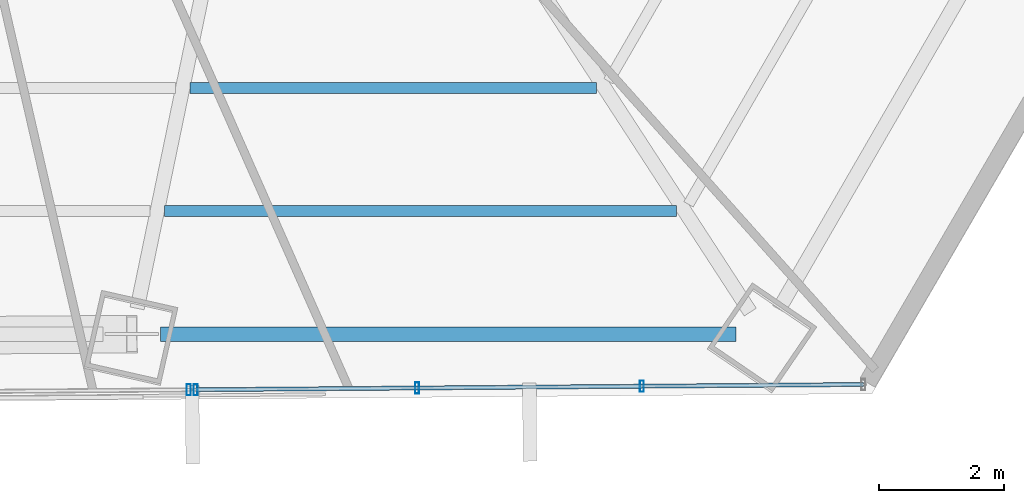
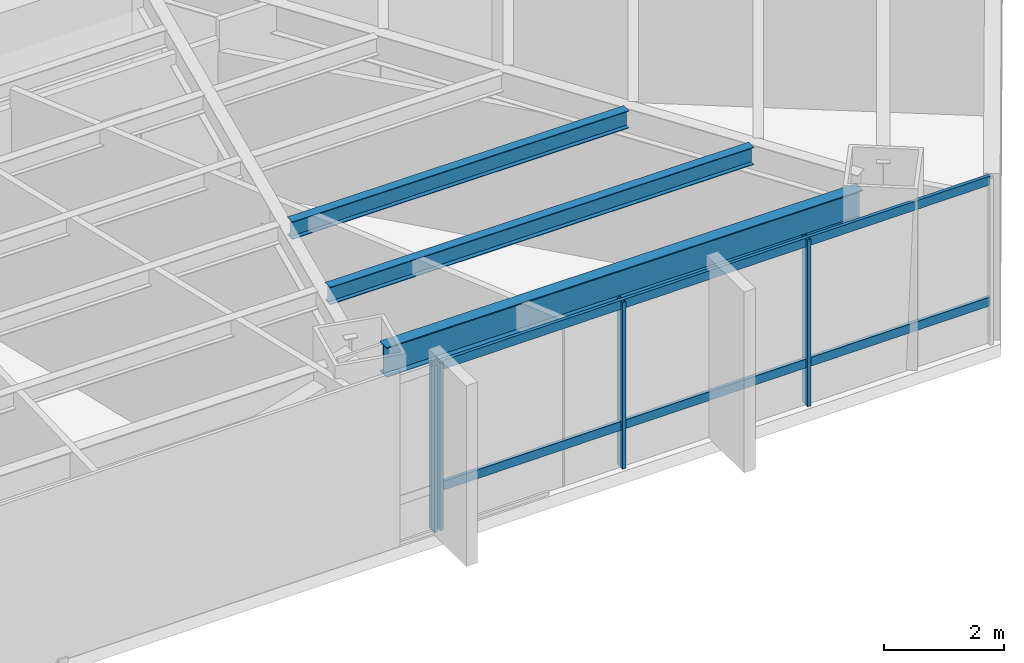
# One storey, part 16 of 36: 6 members, 3 beams, 2 elements without a shape of their own.
"""IFC4 building model written with IfcOpenShell, lengths in metres."""

from ifc_helpers import new_model, si_unit, direction, frame, origin, origin_2d, place, context, subcontext, project, spatial, hollow_rectangle, i_section, extrude, source, transform, mapped, material, material_profile, profile_set, type_object, type_shapes, element, aggregate, save


model = new_model("IFC4")

# Units and contexts
model_context = context("Model", 3, precision=1e-05, world=origin(), true_north=direction((0.0, 1.0)))
body_context = subcontext(model_context, "Body", "Model", "MODEL_VIEW")
ifc_project = project(units=[si_unit("LENGTHUNIT", "METRE"), si_unit("AREAUNIT", "SQUARE_METRE"), si_unit("VOLUMEUNIT", "CUBIC_METRE"), si_unit("PLANEANGLEUNIT", "RADIAN"), si_unit("MASSUNIT", "GRAM", prefix="KILO")], contexts=[model_context])

# Site, building, storey
site_placement = place(None, origin())
site = spatial("IfcSite", under=ifc_project, at=site_placement, CompositionType="ELEMENT")
building_placement = place(site_placement, origin())
building = spatial("IfcBuilding", under=site, at=building_placement, Name="Caelisora Broadcast Tower", CompositionType="ELEMENT")
storey_placement = place(building_placement, frame((0.0, 0.0, 64.10009765625)))
storey = spatial("IfcBuildingStorey", under=building, at=storey_placement, Name="L16", CompositionType="ELEMENT", Elevation=64.10009765625)

# Beams
ifc_material_1 = material(Name="Steel Grade 350 (AS/NZS 3679.1)", Category="steel")
ifc_material_profile_1 = material_profile(ifc_material_1, i_section(OverallWidth=0.22900390625, OverallDepth=0.611572265625, WebThickness=0.011962890625, FlangeThickness=0.01953125, at=origin_2d()), Name="Steel Grade 350 (AS/NZS 3679.1)")
ifc_profile_set_1 = profile_set([ifc_material_profile_1], Name="Steel Grade 350 (AS/NZS 3679.1)")
beam_type_1 = type_object("IfcBeamType", Name="PG03", PredefinedType="BEAM", material=ifc_profile_set_1)
shared_shape_1 = source(origin(), body_context, "Body", "SweptSolid", [
    extrude(i_section(OverallWidth=0.22900390625, OverallDepth=0.611572265625, WebThickness=0.011962890625, FlangeThickness=0.01953125, at=origin_2d()), origin(), (0.0, 0.0, 1.0), 9.195556640625),
])
type_shapes(beam_type_1, [shared_shape_1])
beam_1_placement = place(storey_placement, frame((43.517578125, 5.59521484375, 3.093994140625), z_axis=(1.0, 0.0, 0.0), x_axis=(0.0, 1.0, 0.0)))
element("IfcBeam", 1, at=beam_1_placement, inside=storey, type_object=beam_type_1, Name="L16 beam PG03", PredefinedType="BEAM", context=body_context, shape_type="MappedRepresentation", body=[
    mapped(shared_shape_1, transform((0.0, 0.0, 0.0), scale=1.0)),
])
ifc_material_profile_2 = material_profile(ifc_material_1, i_section(OverallWidth=0.172119140625, OverallDepth=0.358642578125, WebThickness=0.008056640625, FlangeThickness=0.012939453125, at=origin_2d()), Name="Steel Grade 350 (AS/NZS 3679.1)")
ifc_profile_set_2 = profile_set([ifc_material_profile_2], Name="Steel Grade 350 (AS/NZS 3679.1)")
beam_type_2 = type_object("IfcBeamType", Name="SB02", PredefinedType="JOIST", material=ifc_profile_set_2)
shared_shape_2 = source(origin(), body_context, "Body", "SweptSolid", [
    extrude(i_section(OverallWidth=0.172119140625, OverallDepth=0.358642578125, WebThickness=0.008056640625, FlangeThickness=0.012939453125, at=origin_2d()), origin(), (0.0, 0.0, 1.0), 6.497314453125),
])
beam_2_placement = place(storey_placement, frame((43.985107421875, 9.5302734375, 3.220703125), z_axis=(1.0, 0.0, 0.0), x_axis=(0.0, 1.0, 0.0)))
element("IfcBeam", 2, at=beam_2_placement, inside=storey, type_object=beam_type_2, Name="L16 beam SB02", PredefinedType="JOIST", context=body_context, shape_type="MappedRepresentation", body=[
    mapped(shared_shape_2, transform((0.0, 0.0, 0.0), scale=1.0)),
])
shared_shape_3 = source(origin(), body_context, "Body", "SweptSolid", [
    extrude(i_section(OverallWidth=0.172119140625, OverallDepth=0.358642578125, WebThickness=0.008056640625, FlangeThickness=0.012939453125, at=origin_2d()), origin(), (0.0, 0.0, 1.0), 8.18310546875),
])
type_shapes(beam_type_2, [shared_shape_2, shared_shape_3])
beam_3_placement = place(storey_placement, frame((43.578125, 7.562744140625, 3.220703125), z_axis=(1.0, 0.0, 0.0), x_axis=(0.0, 1.0, 0.0)))
element("IfcBeam", 3, at=beam_3_placement, inside=storey, type_object=beam_type_2, Name="L16 beam SB02", PredefinedType="JOIST", context=body_context, shape_type="MappedRepresentation", body=[
    mapped(shared_shape_3, transform((0.0, 0.0, 0.0), scale=1.0)),
])

# Curtain wall, members
ifc_material_2 = material(Name="Unitised Aluminium and Low-E Glass Curtain Wall", Category="glass")
curtain_wall_type_1 = type_object("IfcCurtainWallType", Name="CW-Z1", PredefinedType="NOTDEFINED", material=ifc_material_2)
curtain_wall_1_placement = place(storey_placement, origin())
curtain_wall_1 = element("IfcCurtainWall", 4, at=curtain_wall_1_placement, inside=storey, type_object=curtain_wall_type_1, Name="L16 curtain wall CW-Z1", PredefinedType="NOTDEFINED")
ifc_material_3 = material(Name="Aluminium 6063-T6 Anodised Terracotta Bronze", Category="aluminium")
ifc_material_profile_3 = material_profile(ifc_material_3, hollow_rectangle(XDim=0.06494140625, YDim=0.179931640625, WallThickness=0.00341796875, at=origin_2d()), Name="Aluminium 6063-T6 Anodised Terracotta Bronze")
ifc_profile_set_3 = profile_set([ifc_material_profile_3], Name="Aluminium 6063-T6 Anodised Terracotta Bronze")
member_type_1 = type_object("IfcMemberType", Name="CWM-02", PredefinedType="MULLION", material=ifc_profile_set_3)
shared_shape_4 = source(origin(), body_context, "Body", "SweptSolid", [
    extrude(hollow_rectangle(XDim=0.06494140625, YDim=0.179931640625, WallThickness=0.00341796875, at=origin_2d()), origin(), (0.0, 0.0, 1.0), 3.39990234375),
])
type_shapes(member_type_1, [shared_shape_4])
member_1_placement = place(storey_placement, frame((51.211181640625, 4.762451171875, 0.0), z_axis=(0.0, 0.0, 1.0), x_axis=(1.0, 0.0, 0.0)))
member_1 = element("IfcMember", 5, at=member_1_placement, type_object=member_type_1, Name="L16-CW-B05 mullion #1", PredefinedType="MULLION", context=body_context, shape_type="MappedRepresentation", body=[
    mapped(shared_shape_4, transform((0.0, 0.0, 0.0), scale=1.0)),
])
member_2_placement = place(storey_placement, frame((47.61962890625, 4.73388671875, 0.0), z_axis=(0.0, 0.0, 1.0), x_axis=(1.0, 0.0, 0.0)))
member_2 = element("IfcMember", 6, at=member_2_placement, type_object=member_type_1, Name="L16-CW-B05 mullion #2", PredefinedType="MULLION", context=body_context, shape_type="MappedRepresentation", body=[
    mapped(shared_shape_4, transform((0.0, 0.0, 0.0), scale=1.0)),
])
member_3_placement = place(storey_placement, frame((44.077880859375, 4.705810546875, 0.0), z_axis=(0.0, 0.0, 1.0), x_axis=(1.0, 0.0, 0.0)))
member_3 = element("IfcMember", 7, at=member_3_placement, type_object=member_type_1, Name="L16-CW-B05 mullion #3", PredefinedType="MULLION", context=body_context, shape_type="MappedRepresentation", body=[
    mapped(shared_shape_4, transform((0.0, 0.0, 0.0), scale=1.0)),
])

# Curtain wall, member
ifc_material_4 = material(Name="Unitised Aluminium Insulated Shadow-Box Spandrel Curtain Wall", Category="aluminium")
curtain_wall_type_2 = type_object("IfcCurtainWallType", Name="CW-SP1", PredefinedType="NOTDEFINED", material=ifc_material_4)
curtain_wall_2_placement = place(storey_placement, origin())
curtain_wall_2 = element("IfcCurtainWall", 8, at=curtain_wall_2_placement, inside=storey, type_object=curtain_wall_type_2, Name="L16 curtain wall CW-SP1", PredefinedType="NOTDEFINED")
member_4_placement = place(storey_placement, frame((43.9677734375, 4.704833984375, 0.0), z_axis=(0.0, 0.0, 1.0), x_axis=(1.0, 0.0, 0.0)))
member_4 = element("IfcMember", 9, at=member_4_placement, type_object=member_type_1, Name="L16-CW-B06 mullion #0", PredefinedType="MULLION", context=body_context, shape_type="MappedRepresentation", body=[
    mapped(shared_shape_4, transform((0.0, 0.0, 0.0), scale=1.0)),
])
aggregate(curtain_wall_2, [member_4])

# Member
ifc_material_profile_4 = material_profile(ifc_material_3, hollow_rectangle(XDim=0.06494140625, YDim=0.179931640625, WallThickness=0.00341796875, at=origin_2d()), Name="Aluminium 6063-T6 Anodised Terracotta Bronze")
ifc_profile_set_4 = profile_set([ifc_material_profile_4], Name="Aluminium 6063-T6 Anodised Terracotta Bronze")
member_type_2 = type_object("IfcMemberType", Name="CWT-01", PredefinedType="USERDEFINED", material=ifc_profile_set_4)
shared_shape_5 = source(origin(), body_context, "Body", "SweptSolid", [
    extrude(hollow_rectangle(XDim=0.06494140625, YDim=0.179931640625, WallThickness=0.00341796875, at=origin_2d()), origin(), (0.0, 0.0, 1.0), 10.67529296875),
])
type_shapes(member_type_2, [shared_shape_5])
member_5_placement = place(storey_placement, frame((54.7529296875, 4.79052734375, 0.849853515625), z_axis=(-0.99996851173, -0.007935713518, 0.0), x_axis=(0.007935713518, -0.99996851173, 0.0)))
member_5 = element("IfcMember", 10, at=member_5_placement, type_object=member_type_2, Name="L16-CW-B05 transom #1", ObjectType="TRANSOM", PredefinedType="USERDEFINED", context=body_context, shape_type="MappedRepresentation", body=[
    mapped(shared_shape_5, transform((0.0, 0.0, 0.0), scale=1.0)),
])

member_6_placement = place(storey_placement, frame((54.7529296875, 4.79052734375, 3.31982421875), z_axis=(-0.99996851173, -0.007935713518, 0.0), x_axis=(0.007935713518, -0.99996851173, 0.0)))
member_6 = element("IfcMember", 11, at=member_6_placement, type_object=member_type_2, Name="L16-CW-B05 transom #2", ObjectType="TRANSOM", PredefinedType="USERDEFINED", context=body_context, shape_type="MappedRepresentation", body=[
    mapped(shared_shape_5, transform((0.0, 0.0, 0.0), scale=1.0)),
])

aggregate(curtain_wall_1, [member_1, member_2, member_3, member_5, member_6])

save(model, "model.ifc")
